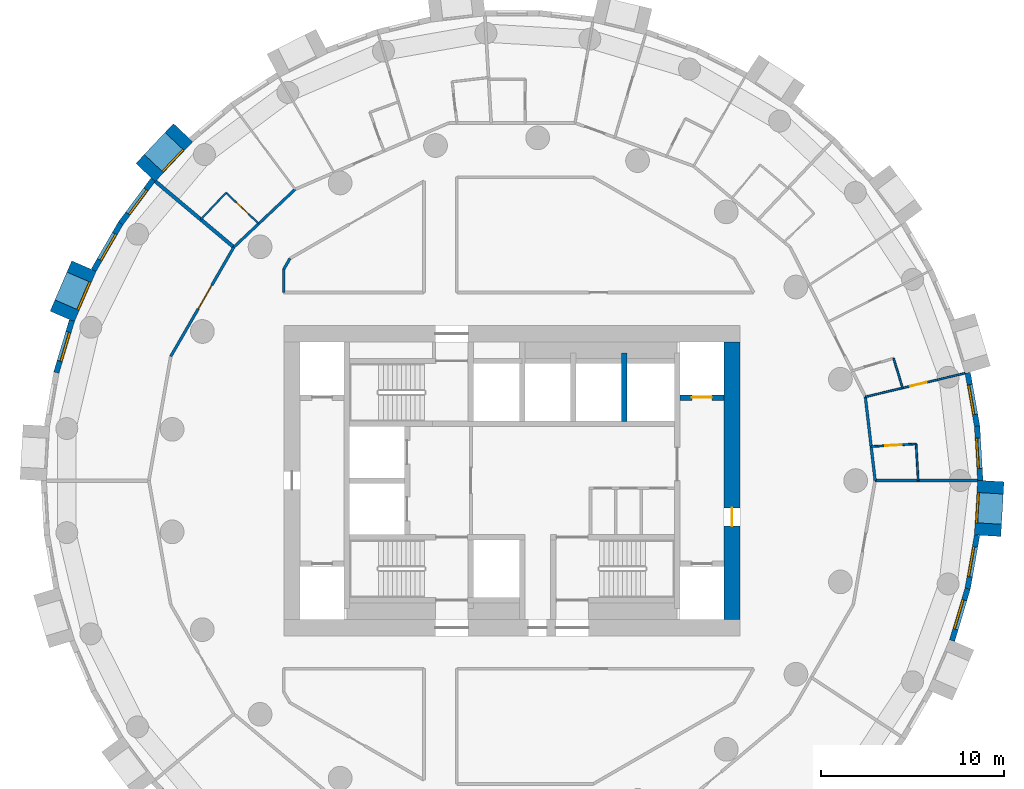
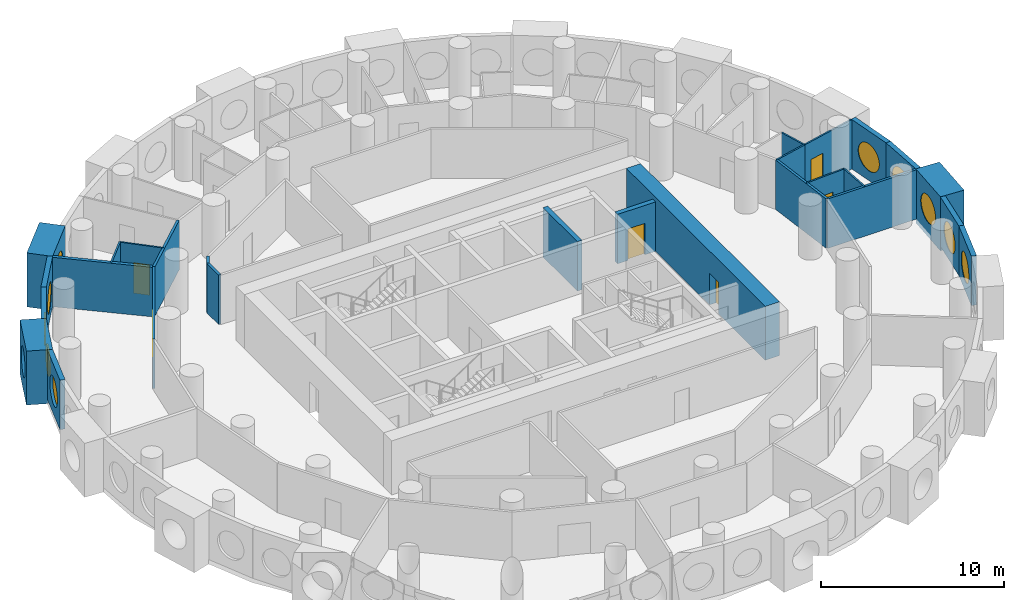
# One storey, part 5 of 10: 27 walls, 10 windows, 6 doors, 16 openings.
"""IFC4 building model written with IfcOpenShell, lengths in metres."""

import ifcopenshell
import ifcopenshell.guid

model = None  # the IFC model being written
_history = None  # IfcOwnerHistory: only IFC2X3 demands one
_inside = {}  # id of a spatial element -> (the spatial element, [elements in it])
_under = {}  # id of a project, library or spatial element -> (it, [spatial elements below it])
_declared = {}  # id of a project -> (the project, [libraries it declares])
_typed = {}  # id of a type object -> (the type object, [elements of that type])
_made_of = {}  # id of a material, layer set ... -> (it, [elements and type objects made of it])


def new_model(schema):
    """Start an empty IFC model of exactly this schema.

    Asked for "IFC4X3", IfcOpenShell would pick the latest addendum, in which some entities
    have other attributes; the version numbers below select the first issue.
    IFC2X3 requires an IfcOwnerHistory on every rooted entity: one is made here for all.
    """
    global model, _history
    if schema == "IFC4X3":
        model = ifcopenshell.file(schema_version=(4, 3, 0, 0))
    else:
        model = ifcopenshell.file(schema=schema)
    _inside.clear()
    _under.clear()
    _declared.clear()
    _typed.clear()
    _made_of.clear()
    _history = None
    if model.schema == "IFC2X3":
        org = make("IfcOrganization", Name="unknown")
        user = make(
            "IfcPersonAndOrganization",
            ThePerson=make("IfcPerson", FamilyName="unknown"),
            TheOrganization=org,
        )
        app = make(
            "IfcApplication",
            ApplicationDeveloper=org,
            Version="unknown",
            ApplicationFullName="unknown",
            ApplicationIdentifier="unknown",
        )
        _history = make(
            "IfcOwnerHistory",
            OwningUser=user,
            OwningApplication=app,
            ChangeAction="ADDED",
            CreationDate=0,
        )
    return model


def make(cls, **values):
    """One entity of the class cls with the attributes given. An attribute that is None is left unset."""
    return model.create_entity(
        cls, **{name: value for name, value in values.items() if value is not None}
    )


def rooted(cls, **values):
    """An entity with a GlobalId (a new one), such as an element, a storey or a relation."""
    return make(cls, GlobalId=ifcopenshell.guid.new(), OwnerHistory=_history, **values)


def si_unit(unit_type, name, prefix=None):
    """IfcSIUnit, for example si_unit("LENGTHUNIT", "METRE", prefix="MILLI")."""
    return make("IfcSIUnit", UnitType=unit_type, Prefix=prefix, Name=name)


def assignment(units):
    """IfcUnitAssignment: the units of a project."""
    return None if units is None else make("IfcUnitAssignment", Units=units)


def point(xyz):
    """IfcCartesianPoint."""
    return None if xyz is None else make("IfcCartesianPoint", Coordinates=xyz)


def direction(xyz):
    """IfcDirection."""
    return None if xyz is None else make("IfcDirection", DirectionRatios=xyz)


def frame(location, z_axis=None, x_axis=None):
    """IfcAxis2Placement3D, a coordinate frame: its origin and axes. An axis left out is left unset."""
    return make(
        "IfcAxis2Placement3D",
        Location=point(location),
        Axis=direction(z_axis),
        RefDirection=direction(x_axis),
    )


def frame_2d(location, x_axis=None):
    """IfcAxis2Placement2D, a coordinate frame in the plane: its origin and x axis."""
    return make(
        "IfcAxis2Placement2D", Location=point(location), RefDirection=direction(x_axis)
    )


def origin():
    """The frame at (0, 0, 0) with its axes left unset."""
    return frame((0.0, 0.0, 0.0))


def origin_2d():
    """The frame at (0, 0) in the plane with its x axis left unset."""
    return frame_2d((0.0, 0.0))


def place(relative_to, where):
    """IfcLocalPlacement: puts the frame where relative to a parent placement (None: the world)."""
    return make(
        "IfcLocalPlacement", PlacementRelTo=relative_to, RelativePlacement=where
    )


def context(
    kind, dimensions, precision=None, world=None, true_north=None, identifier=None
):
    """IfcGeometricRepresentationContext, for example the 3D "Model" context."""
    return make(
        "IfcGeometricRepresentationContext",
        ContextIdentifier=identifier,
        ContextType=kind,
        CoordinateSpaceDimension=dimensions,
        Precision=precision,
        WorldCoordinateSystem=world,
        TrueNorth=true_north,
    )


def subcontext(parent, identifier, kind, view, scale=None):
    """IfcGeometricRepresentationSubContext, for example "Body" below "Model"."""
    return make(
        "IfcGeometricRepresentationSubContext",
        ContextIdentifier=identifier,
        ContextType=kind,
        ParentContext=parent,
        TargetScale=scale,
        TargetView=view,
    )


def project(units=None, contexts=None):
    """IfcProject with its units and contexts."""
    return rooted(
        "IfcProject",
        Name="project",
        RepresentationContexts=contexts,
        UnitsInContext=assignment(units),
    )


def spatial(cls, under=None, at=None, **own):
    """A site, building, storey or space (cls), placed at a placement, below another one or the project."""
    s = rooted(cls, ObjectPlacement=at, **own)
    if under is not None:
        _under.setdefault(under.id(), (under, []))[1].append(s)
    return s


def profile(cls, at=None, kind="AREA", **sizes):
    """A parametric profile (cls). Its sizes go by their IFC names, for example OverallWidth=200.0."""
    return make(cls, ProfileType=kind, Position=at, **sizes)


def rectangle(**sizes):
    """IfcRectangleProfileDef."""
    return profile("IfcRectangleProfileDef", **sizes)


def circle(**sizes):
    """IfcCircleProfileDef."""
    return profile("IfcCircleProfileDef", **sizes)


def extrude(swept, where, along, depth):
    """IfcExtrudedAreaSolid: the profile swept, set in the frame where, extruded along a direction by depth."""
    return make(
        "IfcExtrudedAreaSolid",
        SweptArea=swept,
        Position=where,
        ExtrudedDirection=direction(along),
        Depth=depth,
    )


def shape(context_of_items, identifier, shape_type, items):
    """IfcShapeRepresentation: the items that make up one representation, for example the "Body"."""
    return make(
        "IfcShapeRepresentation",
        ContextOfItems=context_of_items,
        RepresentationIdentifier=identifier,
        RepresentationType=shape_type,
        Items=items,
    )


def material(Name=None, Category=None):
    """IfcMaterial."""
    return make("IfcMaterial", Name=Name, Category=Category)


def layer(
    of_material, thickness, ventilated=None, Name=None, Category=None, Priority=None
):
    """IfcMaterialLayer: one layer of a wall or slab, of a material (None: an air gap)."""
    return make(
        "IfcMaterialLayer",
        Material=of_material,
        LayerThickness=thickness,
        IsVentilated=ventilated,
        Name=Name,
        Category=Category,
        Priority=Priority,
    )


def layer_set(layers, Name=None):
    """IfcMaterialLayerSet."""
    return make("IfcMaterialLayerSet", MaterialLayers=layers, LayerSetName=Name)


def made_of(thing, what):
    """Note that an element or type object is made of a material, layer set ...; save() writes the relation."""
    if what is not None:
        _made_of.setdefault(what.id(), (what, []))[1].append(thing)
    return thing


def type_object(cls, material=None, **own):
    """A type object (cls), such as IfcWallType, which elements share."""
    return made_of(rooted(cls, **own), material)


def element(
    cls,
    number,
    at=None,
    inside=None,
    cuts=None,
    type_object=None,
    material=None,
    context=None,
    identifier="Body",
    shape_type=None,
    held_by="IfcProductDefinitionShape",
    body=None,
    shapes=None,
    **own,
):
    """One element of the class cls, such as IfcWall. Its Tag is "e" and its number.

    at: its placement. inside: the storey or other place that contains it. cuts: it is an
    opening in that element (IfcRelVoidsElement). A single representation is given by context,
    identifier, shape_type and body (its items); several are given by shapes. held_by: the class
    of the entity that holds the representations. save() writes the other relations.
    """
    e = rooted(cls, Tag="e%d" % number, ObjectPlacement=at, **own)
    if body is not None:
        shapes = [shape(context, identifier, shape_type, body)]
    if shapes is not None:
        e.Representation = make(held_by, Representations=shapes)
    if inside is not None:
        _inside.setdefault(inside.id(), (inside, []))[1].append(e)
    if cuts is not None:
        rooted(
            "IfcRelVoidsElement", RelatingBuildingElement=cuts, RelatedOpeningElement=e
        )
    if type_object is not None:
        _typed.setdefault(type_object.id(), (type_object, []))[1].append(e)
    return made_of(e, material)


def fill(opening, filler):
    """IfcRelFillsElement: the door or window that sits in an opening."""
    return rooted(
        "IfcRelFillsElement",
        RelatingOpeningElement=opening,
        RelatedBuildingElement=filler,
    )


def aggregate(whole, parts):
    """IfcRelAggregates: a whole, such as a stair, and the parts it consists of."""
    return rooted("IfcRelAggregates", RelatingObject=whole, RelatedObjects=parts)


def save(model, path):
    """Write the relations noted so far, then the file.

    IfcRelAggregates (storeys below a building ...), IfcRelContainedInSpatialStructure (elements
    in a storey), IfcRelDefinesByType, IfcRelAssociatesMaterial and IfcRelDeclares: one each for
    every whole, place, type object, material and project.
    """
    for whole, parts in _under.values():
        aggregate(whole, parts)
    for where, things in _inside.values():
        rooted(
            "IfcRelContainedInSpatialStructure",
            RelatedElements=things,
            RelatingStructure=where,
        )
    for kind, things in _typed.values():
        rooted("IfcRelDefinesByType", RelatedObjects=things, RelatingType=kind)
    for what, things in _made_of.values():
        rooted("IfcRelAssociatesMaterial", RelatedObjects=things, RelatingMaterial=what)
    for by, libraries in _declared.values():
        rooted("IfcRelDeclares", RelatingContext=by, RelatedDefinitions=libraries)
    model.write(path)


model = new_model("IFC4")

# Units and contexts
model_context = context("Model", 3, precision=1e-05, world=origin(), true_north=direction((0.0, 1.0)))
body_context = subcontext(model_context, "Body", "Model", "MODEL_VIEW")
ifc_project = project(units=[si_unit("LENGTHUNIT", "METRE"), si_unit("AREAUNIT", "SQUARE_METRE"), si_unit("VOLUMEUNIT", "CUBIC_METRE"), si_unit("PLANEANGLEUNIT", "RADIAN"), si_unit("MASSUNIT", "GRAM", prefix="KILO")], contexts=[model_context])

# Site, building, storey
site_placement = place(None, origin())
site = spatial("IfcSite", under=ifc_project, at=site_placement, CompositionType="ELEMENT")
building_placement = place(site_placement, origin())
building = spatial("IfcBuilding", under=site, at=building_placement, Name="Tracery Tower", CompositionType="ELEMENT")
storey_placement = place(building_placement, frame((0.0, 0.0, 133.199951171875)))
storey = spatial("IfcBuildingStorey", under=building, at=storey_placement, Name="L33", CompositionType="ELEMENT", Elevation=133.199951171875)

# Wall, opening, door
ifc_material_1 = material(Name="Concrete C50/60", Category="concrete")
ifc_layer_1 = layer(ifc_material_1, 0.89990234375)
ifc_layer_set_1 = layer_set([ifc_layer_1], Name="Core wall 900 C50")
wall_type_1 = type_object("IfcWallType", Name="Core wall 900 C50", PredefinedType="SOLIDWALL", material=ifc_layer_set_1)
wall_1_placement = place(storey_placement, frame((12.050048828125, -7.60009765625, 0.0), z_axis=(0.0, 0.0, 1.0), x_axis=(0.0, 1.0, 0.0)))
wall_1 = element("IfcWall", 1, at=wall_1_placement, inside=storey, type_object=wall_type_1, Name="L33 outer E", PredefinedType="SOLIDWALL", context=body_context, shape_type="SweptSolid", body=[
    extrude(rectangle(XDim=15.2001953125, YDim=0.89990234375, at=frame_2d((7.60009765625, 0.0))), origin(), (0.0, 0.0, 1.0), 3.60009765625),
])
opening_1_placement = place(wall_1_placement, frame((5.10009765625, 0.0, 0.0)))
opening_1 = element("IfcOpeningElement", 2, at=opening_1_placement, cuts=wall_1, Name="Opening KD18", PredefinedType="OPENING", context=body_context, shape_type="SweptSolid", body=[
    extrude(rectangle(XDim=1.0, YDim=2.10009765625, at=frame_2d((0.5, 1.050048828125))), frame((0.0, 0.449951171875, 0.0), z_axis=(0.0, -1.0, 0.0), x_axis=(1.0, 0.0, 0.0)), (0.0, 0.0, 1.0), 0.89990234375),
])
ifc_material_2 = material(Name="Steel fire door", Category="steel")
door_type_1 = type_object("IfcDoorType", Name="Core exit door 1000", OperationType="NOTDEFINED", PredefinedType="DOOR", material=ifc_material_2)
door_1_placement = place(opening_1_placement, origin())
door_1 = element("IfcDoor", 3, at=door_1_placement, inside=storey, type_object=door_type_1, Name="Core exit door", OperationType="DOUBLE_DOOR_SINGLE_SWING", OverallHeight=2.10009765625, OverallWidth=1.0, PredefinedType="DOOR", context=body_context, shape_type="SweptSolid", body=[
    extrude(rectangle(XDim=1.0, YDim=2.10009765625, at=frame_2d((0.5, 1.050048828125))), frame((0.0, 0.02490234375, 0.0), z_axis=(0.0, -1.0, 0.0), x_axis=(1.0, 0.0, 0.0)), (0.0, 0.0, 1.0), 0.050048828125),
])
fill(opening_1, door_1)

# Wall, opening, window
ifc_material_3 = material(Name="Precast concrete C50/60", Category="concrete")
ifc_layer_2 = layer(ifc_material_3, 1.449951171875)
ifc_layer_set_2 = layer_set([ifc_layer_2], Name="Deep-set bay unit 3000 x 3600, slab edge 300")
wall_type_2 = type_object("IfcWallType", Name="Deep-set bay unit 3000 x 3600, slab edge 300", PredefinedType="ELEMENTEDWALL", material=ifc_layer_set_2)
wall_2_placement = place(storey_placement, frame((-18.0126953125, 19.05615234375, -0.300048828125), z_axis=(0.0, 0.0, 1.0), x_axis=(-0.686217177108, -0.727396718334, 0.0)))
wall_2 = element("IfcWall", 4, at=wall_2_placement, inside=storey, type_object=wall_type_2, Name="Deep-set bay unit 21 at L33", PredefinedType="ELEMENTEDWALL", context=body_context, shape_type="SweptSolid", body=[
    extrude(rectangle(XDim=3.0, YDim=1.449951171875, at=frame_2d((1.5, 0.0))), origin(), (0.0, 0.0, 1.0), 3.60009765625),
])
opening_2_placement = place(wall_2_placement, frame((1.5, 0.0, 1.85009765625)))
opening_2 = element("IfcOpeningElement", 5, at=opening_2_placement, cuts=wall_2, Name="Opening WN1", PredefinedType="OPENING", context=body_context, shape_type="SweptSolid", body=[
    extrude(circle(Radius=0.9000244140625, at=origin_2d()), frame((0.0, 0.73486328125, 0.0), z_axis=(0.0, -1.0, 0.0), x_axis=(1.0, 0.0, 0.0)), (0.0, 0.0, 1.0), 1.469970703125),
])
ifc_material_4 = material(Name="Aluminium frame with tinted double glazing", Category="aluminium")
window_type = type_object("IfcWindowType", Name="Round window 1800", PartitioningType="SINGLE_PANEL", PredefinedType="WINDOW", material=ifc_material_4)
window_1_placement = place(opening_2_placement, origin())
window_1 = element("IfcWindow", 6, at=window_1_placement, inside=storey, type_object=window_type, Name="Round window 21 at L33", OverallHeight=1.800048828125, OverallWidth=1.800048828125, PartitioningType="SINGLE_PANEL", PredefinedType="WINDOW", context=body_context, shape_type="SweptSolid", body=[
    extrude(circle(Radius=0.9000244140625, at=origin_2d()), frame((0.0, 0.69482421875, 0.0), z_axis=(0.0, -1.0, 0.0), x_axis=(1.0, 0.0, 0.0)), (0.0, 0.0, 1.0), 0.10009765625),
])
fill(opening_2, window_1)

wall_3_placement = place(storey_placement, frame((-23.44384765625, 11.746337890625, -0.300048828125), z_axis=(0.0, 0.0, 1.0), x_axis=(-0.396079003245, -0.918216435917, 0.0)))
wall_3 = element("IfcWall", 7, at=wall_3_placement, inside=storey, type_object=wall_type_2, Name="Deep-set bay unit 24 at L33", PredefinedType="ELEMENTEDWALL", context=body_context, shape_type="SweptSolid", body=[
    extrude(rectangle(XDim=3.0, YDim=1.449951171875, at=frame_2d((1.5, 0.0))), origin(), (0.0, 0.0, 1.0), 3.60009765625),
])
opening_3_placement = place(wall_3_placement, frame((1.5, 0.0, 1.85009765625)))
opening_3 = element("IfcOpeningElement", 8, at=opening_3_placement, cuts=wall_3, Name="Opening WN1", PredefinedType="OPENING", context=body_context, shape_type="SweptSolid", body=[
    extrude(circle(Radius=0.9000244140625, at=origin_2d()), frame((0.0, 0.73486328125, 0.0), z_axis=(0.0, -1.0, 0.0), x_axis=(1.0, 0.0, 0.0)), (0.0, 0.0, 1.0), 1.469970703125),
])
window_2_placement = place(opening_3_placement, origin())
window_2 = element("IfcWindow", 9, at=window_2_placement, inside=storey, type_object=window_type, Name="Round window 24 at L33", OverallHeight=1.800048828125, OverallWidth=1.800048828125, PartitioningType="SINGLE_PANEL", PredefinedType="WINDOW", context=body_context, shape_type="SweptSolid", body=[
    extrude(circle(Radius=0.9000244140625, at=origin_2d()), frame((0.0, 0.69482421875, 0.0), z_axis=(0.0, -1.0, 0.0), x_axis=(1.0, 0.0, 0.0)), (0.0, 0.0, 1.0), 0.10009765625),
])
fill(opening_3, window_2)

wall_4_placement = place(storey_placement, frame((26.047607421875, -3.01953125, -0.300048828125), z_axis=(0.0, 0.0, 1.0), x_axis=(0.058106596105, 0.998310384344, 0.0)))
wall_4 = element("IfcWall", 10, at=wall_4_placement, inside=storey, type_object=wall_type_2, Name="Deep-set bay unit 54 at L33", PredefinedType="ELEMENTEDWALL", context=body_context, shape_type="SweptSolid", body=[
    extrude(rectangle(XDim=3.0, YDim=1.449951171875, at=frame_2d((1.5, 0.0))), origin(), (0.0, 0.0, 1.0), 3.60009765625),
])
opening_4_placement = place(wall_4_placement, frame((1.5, 0.0, 1.85009765625)))
opening_4 = element("IfcOpeningElement", 11, at=opening_4_placement, cuts=wall_4, Name="Opening WN1", PredefinedType="OPENING", context=body_context, shape_type="SweptSolid", body=[
    extrude(circle(Radius=0.9000244140625, at=origin_2d()), frame((0.0, 0.73486328125, 0.0), z_axis=(0.0, -1.0, 0.0), x_axis=(1.0, 0.0, 0.0)), (0.0, 0.0, 1.0), 1.469970703125),
])
window_3_placement = place(opening_4_placement, origin())
window_3 = element("IfcWindow", 12, at=window_3_placement, inside=storey, type_object=window_type, Name="Round window 54 at L33", OverallHeight=1.800048828125, OverallWidth=1.800048828125, PartitioningType="SINGLE_PANEL", PredefinedType="WINDOW", context=body_context, shape_type="SweptSolid", body=[
    extrude(circle(Radius=0.9000244140625, at=origin_2d()), frame((0.0, 0.69482421875, 0.0), z_axis=(0.0, -1.0, 0.0), x_axis=(1.0, 0.0, 0.0)), (0.0, 0.0, 1.0), 0.10009765625),
])
fill(opening_4, window_3)

ifc_material_5 = material(Name="Precast concrete C50/60", Category="concrete")
ifc_layer_3 = layer(ifc_material_5, 0.300048828125)
ifc_layer_set_3 = layer_set([ifc_layer_3], Name="Facade panel 3000 x 3300")
wall_type_3 = type_object("IfcWallType", Name="Facade panel 3000 x 3300", PredefinedType="SOLIDWALL", material=ifc_layer_set_3)
wall_5_placement = place(storey_placement, frame((25.64697265625, 0.009521484375, 0.0), z_axis=(0.0, 0.0, 1.0), x_axis=(-0.058139540521, 0.998308466271, 0.0)))
wall_5 = element("IfcWall", 13, at=wall_5_placement, inside=storey, type_object=wall_type_3, Name="Facade panel 1 at L33", PredefinedType="SOLIDWALL", context=body_context, shape_type="SweptSolid", body=[
    extrude(rectangle(XDim=2.97314453125, YDim=0.300048828125, at=frame_2d((1.486572265625, 0.0))), origin(), (0.0, 0.0, 1.0), 3.300048828125),
])
opening_5_placement = place(wall_5_placement, frame((1.486328125, 0.0, 1.5498046875)))
opening_5 = element("IfcOpeningElement", 14, at=opening_5_placement, cuts=wall_5, Name="Opening WN1", PredefinedType="OPENING", context=body_context, shape_type="SweptSolid", body=[
    extrude(circle(Radius=0.9000244140625, at=origin_2d()), frame((0.0, 0.159912109375, 0.0), z_axis=(0.0, -1.0, 0.0), x_axis=(1.0, 0.0, 0.0)), (0.0, 0.0, 1.0), 0.320068359375),
])
window_4_placement = place(opening_5_placement, origin())
window_4 = element("IfcWindow", 15, at=window_4_placement, inside=storey, type_object=window_type, Name="Round window 1 at L33", OverallHeight=1.800048828125, OverallWidth=1.800048828125, PartitioningType="SINGLE_PANEL", PredefinedType="WINDOW", context=body_context, shape_type="SweptSolid", body=[
    extrude(circle(Radius=0.9000244140625, at=origin_2d()), frame((0.0, 0.1201171875, 0.0), z_axis=(0.0, -1.0, 0.0), x_axis=(1.0, 0.0, 0.0)), (0.0, 0.0, 1.0), 0.10009765625),
])
fill(opening_5, window_4)

wall_6_placement = place(storey_placement, frame((25.47412109375, 2.9775390625, 0.0), z_axis=(0.0, 0.0, 1.0), x_axis=(-0.173686952598, 0.984800915159, 0.0)))
wall_6 = element("IfcWall", 16, at=wall_6_placement, inside=storey, type_object=wall_type_3, Name="Facade panel 2 at L33", PredefinedType="SOLIDWALL", context=body_context, shape_type="SweptSolid", body=[
    extrude(rectangle(XDim=2.972900390625, YDim=0.300048828125, at=frame_2d((1.486328125, 0.0))), origin(), (0.0, 0.0, 1.0), 3.300048828125),
])
opening_6_placement = place(wall_6_placement, frame((1.486328125, 0.0, 1.5498046875)))
opening_6 = element("IfcOpeningElement", 17, at=opening_6_placement, cuts=wall_6, Name="Opening WN1", PredefinedType="OPENING", context=body_context, shape_type="SweptSolid", body=[
    extrude(circle(Radius=0.9000244140625, at=origin_2d()), frame((0.0, 0.159912109375, 0.0), z_axis=(0.0, -1.0, 0.0), x_axis=(1.0, 0.0, 0.0)), (0.0, 0.0, 1.0), 0.320068359375),
])
window_5_placement = place(opening_6_placement, origin())
window_5 = element("IfcWindow", 18, at=window_5_placement, inside=storey, type_object=window_type, Name="Round window 2 at L33", OverallHeight=1.800048828125, OverallWidth=1.800048828125, PartitioningType="SINGLE_PANEL", PredefinedType="WINDOW", context=body_context, shape_type="SweptSolid", body=[
    extrude(circle(Radius=0.9000244140625, at=origin_2d()), frame((0.0, 0.1201171875, 0.0), z_axis=(0.0, -1.0, 0.0), x_axis=(1.0, 0.0, 0.0)), (0.0, 0.0, 1.0), 0.10009765625),
])
fill(opening_6, window_5)

wall_7_placement = place(storey_placement, frame((-19.65283203125, 16.47802734375, 0.0), z_axis=(0.0, 0.0, 1.0), x_axis=(-0.597197580538, -0.80209416517, 0.0)))
wall_7 = element("IfcWall", 19, at=wall_7_placement, inside=storey, type_object=wall_type_3, Name="Facade panel 22 at L33", PredefinedType="SOLIDWALL", context=body_context, shape_type="SweptSolid", body=[
    extrude(rectangle(XDim=2.972900390625, YDim=0.300048828125, at=frame_2d((1.486328125, 0.0))), origin(), (0.0, 0.0, 1.0), 3.300048828125),
])
opening_7_placement = place(wall_7_placement, frame((1.486328125, 0.0, 1.5498046875)))
opening_7 = element("IfcOpeningElement", 20, at=opening_7_placement, cuts=wall_7, Name="Opening WN1", PredefinedType="OPENING", context=body_context, shape_type="SweptSolid", body=[
    extrude(circle(Radius=0.9000244140625, at=origin_2d()), frame((0.0, 0.159912109375, 0.0), z_axis=(0.0, -1.0, 0.0), x_axis=(1.0, 0.0, 0.0)), (0.0, 0.0, 1.0), 0.320068359375),
])
window_6_placement = place(opening_7_placement, origin())
window_6 = element("IfcWindow", 21, at=window_6_placement, inside=storey, type_object=window_type, Name="Round window 22 at L33", OverallHeight=1.800048828125, OverallWidth=1.800048828125, PartitioningType="SINGLE_PANEL", PredefinedType="WINDOW", context=body_context, shape_type="SweptSolid", body=[
    extrude(circle(Radius=0.9000244140625, at=origin_2d()), frame((0.0, 0.1201171875, 0.0), z_axis=(0.0, -1.0, 0.0), x_axis=(1.0, 0.0, 0.0)), (0.0, 0.0, 1.0), 0.10009765625),
])
fill(opening_7, window_6)

wall_8_placement = place(storey_placement, frame((-21.42822265625, 14.093505859375, 0.0), z_axis=(0.0, 0.0, 1.0), x_axis=(-0.499954672104, -0.866051572276, 0.0)))
wall_8 = element("IfcWall", 22, at=wall_8_placement, inside=storey, type_object=wall_type_3, Name="Facade panel 23 at L33", PredefinedType="SOLIDWALL", context=body_context, shape_type="SweptSolid", body=[
    extrude(rectangle(XDim=2.972900390625, YDim=0.300048828125, at=frame_2d((1.486328125, 0.0))), origin(), (0.0, 0.0, 1.0), 3.300048828125),
])
opening_8_placement = place(wall_8_placement, frame((1.486328125, 0.0, 1.5498046875)))
opening_8 = element("IfcOpeningElement", 23, at=opening_8_placement, cuts=wall_8, Name="Opening WN1", PredefinedType="OPENING", context=body_context, shape_type="SweptSolid", body=[
    extrude(circle(Radius=0.9000244140625, at=origin_2d()), frame((0.0, 0.159912109375, 0.0), z_axis=(0.0, -1.0, 0.0), x_axis=(1.0, 0.0, 0.0)), (0.0, 0.0, 1.0), 0.320068359375),
])
window_7_placement = place(opening_8_placement, origin())
window_7 = element("IfcWindow", 24, at=window_7_placement, inside=storey, type_object=window_type, Name="Round window 23 at L33", OverallHeight=1.800048828125, OverallWidth=1.800048828125, PartitioningType="SINGLE_PANEL", PredefinedType="WINDOW", context=body_context, shape_type="SweptSolid", body=[
    extrude(circle(Radius=0.9000244140625, at=origin_2d()), frame((0.0, 0.1201171875, 0.0), z_axis=(0.0, -1.0, 0.0), x_axis=(1.0, 0.0, 0.0)), (0.0, 0.0, 1.0), 0.10009765625),
])
fill(opening_8, window_7)

wall_9_placement = place(storey_placement, frame((-24.103515625, 8.7626953125, 0.0), z_axis=(0.0, 0.0, 1.0), x_axis=(-0.286782750849, -0.957995643944, 0.0)))
wall_9 = element("IfcWall", 25, at=wall_9_placement, inside=storey, type_object=wall_type_3, Name="Facade panel 25 at L33", PredefinedType="SOLIDWALL", context=body_context, shape_type="SweptSolid", body=[
    extrude(rectangle(XDim=2.97265625, YDim=0.300048828125, at=frame_2d((1.486328125, 0.0))), origin(), (0.0, 0.0, 1.0), 3.300048828125),
])
opening_9_placement = place(wall_9_placement, frame((1.486328125, 0.0, 1.5498046875)))
opening_9 = element("IfcOpeningElement", 26, at=opening_9_placement, cuts=wall_9, Name="Opening WN1", PredefinedType="OPENING", context=body_context, shape_type="SweptSolid", body=[
    extrude(circle(Radius=0.9000244140625, at=origin_2d()), frame((0.0, 0.159912109375, 0.0), z_axis=(0.0, -1.0, 0.0), x_axis=(1.0, 0.0, 0.0)), (0.0, 0.0, 1.0), 0.320068359375),
])
window_8_placement = place(opening_9_placement, origin())
window_8 = element("IfcWindow", 27, at=window_8_placement, inside=storey, type_object=window_type, Name="Round window 25 at L33", OverallHeight=1.800048828125, OverallWidth=1.800048828125, PartitioningType="SINGLE_PANEL", PredefinedType="WINDOW", context=body_context, shape_type="SweptSolid", body=[
    extrude(circle(Radius=0.9000244140625, at=origin_2d()), frame((0.0, 0.1201171875, 0.0), z_axis=(0.0, -1.0, 0.0), x_axis=(1.0, 0.0, 0.0)), (0.0, 0.0, 1.0), 0.10009765625),
])
fill(opening_9, window_8)

wall_10_placement = place(storey_placement, frame((24.103515625, -8.7626953125, 0.0), z_axis=(0.0, 0.0, 1.0), x_axis=(0.286782750849, 0.957995643944, 0.0)))
wall_10 = element("IfcWall", 28, at=wall_10_placement, inside=storey, type_object=wall_type_3, Name="Facade panel 52 at L33", PredefinedType="SOLIDWALL", context=body_context, shape_type="SweptSolid", body=[
    extrude(rectangle(XDim=2.97265625, YDim=0.300048828125, at=frame_2d((1.486328125, 0.0))), origin(), (0.0, 0.0, 1.0), 3.300048828125),
])
opening_10_placement = place(wall_10_placement, frame((1.486328125, 0.0, 1.5498046875)))
opening_10 = element("IfcOpeningElement", 29, at=opening_10_placement, cuts=wall_10, Name="Opening WN1", PredefinedType="OPENING", context=body_context, shape_type="SweptSolid", body=[
    extrude(circle(Radius=0.9000244140625, at=origin_2d()), frame((0.0, 0.159912109375, 0.0), z_axis=(0.0, -1.0, 0.0), x_axis=(1.0, 0.0, 0.0)), (0.0, 0.0, 1.0), 0.320068359375),
])
window_9_placement = place(opening_10_placement, origin())
window_9 = element("IfcWindow", 30, at=window_9_placement, inside=storey, type_object=window_type, Name="Round window 52 at L33", OverallHeight=1.800048828125, OverallWidth=1.800048828125, PartitioningType="SINGLE_PANEL", PredefinedType="WINDOW", context=body_context, shape_type="SweptSolid", body=[
    extrude(circle(Radius=0.9000244140625, at=origin_2d()), frame((0.0, 0.1201171875, 0.0), z_axis=(0.0, -1.0, 0.0), x_axis=(1.0, 0.0, 0.0)), (0.0, 0.0, 1.0), 0.10009765625),
])
fill(opening_10, window_9)

wall_11_placement = place(storey_placement, frame((24.9560546875, -5.914794921875, 0.0), z_axis=(0.0, 0.0, 1.0), x_axis=(0.173686952598, 0.984800915159, 0.0)))
wall_11 = element("IfcWall", 31, at=wall_11_placement, inside=storey, type_object=wall_type_3, Name="Facade panel 53 at L33", PredefinedType="SOLIDWALL", context=body_context, shape_type="SweptSolid", body=[
    extrude(rectangle(XDim=2.972900390625, YDim=0.300048828125, at=frame_2d((1.486328125, 0.0))), origin(), (0.0, 0.0, 1.0), 3.300048828125),
])
opening_11_placement = place(wall_11_placement, frame((1.486328125, 0.0, 1.5498046875)))
opening_11 = element("IfcOpeningElement", 32, at=opening_11_placement, cuts=wall_11, Name="Opening WN1", PredefinedType="OPENING", context=body_context, shape_type="SweptSolid", body=[
    extrude(circle(Radius=0.9000244140625, at=origin_2d()), frame((0.0, 0.159912109375, 0.0), z_axis=(0.0, -1.0, 0.0), x_axis=(1.0, 0.0, 0.0)), (0.0, 0.0, 1.0), 0.320068359375),
])
window_10_placement = place(opening_11_placement, origin())
window_10 = element("IfcWindow", 33, at=window_10_placement, inside=storey, type_object=window_type, Name="Round window 53 at L33", OverallHeight=1.800048828125, OverallWidth=1.800048828125, PartitioningType="SINGLE_PANEL", PredefinedType="WINDOW", context=body_context, shape_type="SweptSolid", body=[
    extrude(circle(Radius=0.9000244140625, at=origin_2d()), frame((0.0, 0.1201171875, 0.0), z_axis=(0.0, -1.0, 0.0), x_axis=(1.0, 0.0, 0.0)), (0.0, 0.0, 1.0), 0.10009765625),
])
fill(opening_11, window_10)

# Wall, opening, door
ifc_material_6 = material(Name="Plasterboard on steel studs", Category="steel")
ifc_layer_4 = layer(ifc_material_6, 0.10009765625)
ifc_layer_set_4 = layer_set([ifc_layer_4], Name="Partition 100 stud")
wall_type_4 = type_object("IfcWallType", Name="Partition 100 stud", PredefinedType="PARTITIONING", material=ifc_layer_set_4)
wall_12_placement = place(storey_placement, frame((21.388916015625, 5.069091796875, 0.0), z_axis=(0.0, 0.0, 1.0), x_axis=(0.973047083334, 0.2306065342, 0.0)))
wall_12 = element("IfcWall", 34, at=wall_12_placement, inside=storey, type_object=wall_type_4, Name="Stud partition RB1-043", PredefinedType="PARTITIONING", context=body_context, shape_type="SweptSolid", body=[
    extrude(rectangle(XDim=3.515869140625, YDim=0.10009765625, at=frame_2d((1.7578125, 0.0))), origin(), (0.0, 0.0, 1.0), 3.300048828125),
])
opening_12_placement = place(wall_12_placement, frame((0.44677734375, 0.0, 0.0)))
opening_12 = element("IfcOpeningElement", 35, at=opening_12_placement, cuts=wall_12, Name="Opening RB1-08", PredefinedType="OPENING", context=body_context, shape_type="SweptSolid", body=[
    extrude(rectangle(XDim=0.89990234375, YDim=2.10009765625, at=frame_2d((0.449951171875, 1.050048828125))), frame((0.0, 0.050048828125, 0.0), z_axis=(0.0, -1.0, 0.0), x_axis=(1.0, 0.0, 0.0)), (0.0, 0.0, 1.0), 0.10009765625),
])
ifc_material_7 = material(Name="Timber door leaf", Category="wood")
door_type_2 = type_object("IfcDoorType", Name="Door bedroom 900", OperationType="NOTDEFINED", PredefinedType="DOOR", material=ifc_material_7)
door_2_placement = place(opening_12_placement, origin())
door_2 = element("IfcDoor", 36, at=door_2_placement, inside=storey, type_object=door_type_2, Name="Bedroom door RB1-08", OperationType="SINGLE_SWING_RIGHT", OverallHeight=2.10009765625, OverallWidth=0.89990234375, PredefinedType="DOOR", context=body_context, shape_type="SweptSolid", body=[
    extrude(rectangle(XDim=0.89990234375, YDim=2.10009765625, at=frame_2d((0.449951171875, 1.050048828125))), frame((0.0, 0.02490234375, 0.0), z_axis=(0.0, -1.0, 0.0), x_axis=(1.0, 0.0, 0.0)), (0.0, 0.0, 1.0), 0.050048828125),
])
fill(opening_12, door_2)

# Walls
ifc_material_8 = material(Name="Plasterboard on steel studs", Category="steel")
ifc_layer_5 = layer(ifc_material_8, 0.10009765625)
ifc_layer_set_5 = layer_set([ifc_layer_5], Name="Partition 100 wet wall")
wall_type_5 = type_object("IfcWallType", Name="Partition 100 wet wall", PredefinedType="PARTITIONING", material=ifc_layer_set_5)
wall_13_placement = place(storey_placement, frame((20.902099609375, 6.694091796875, 0.0), z_axis=(0.0, 0.0, 1.0), x_axis=(0.286978159246, -0.957937125346, 0.0)))
element("IfcWall", 37, at=wall_13_placement, inside=storey, type_object=wall_type_5, Name="Wet wall RB1-041", PredefinedType="PARTITIONING", context=body_context, shape_type="SweptSolid", body=[
    extrude(rectangle(XDim=1.6962890625, YDim=0.10009765625, at=frame_2d((0.84814453125, 0.0))), origin(), (0.0, 0.0, 1.0), 3.300048828125),
])
wall_14_placement = place(storey_placement, frame((19.35205078125, 4.5859375, 0.0), z_axis=(0.0, 0.0, 1.0), x_axis=(0.973001078158, 0.230800567383, 0.0)))
element("IfcWall", 38, at=wall_14_placement, inside=storey, type_object=wall_type_5, Name="Wet wall RB1-045", PredefinedType="PARTITIONING", context=body_context, shape_type="SweptSolid", body=[
    extrude(rectangle(XDim=2.093505859375, YDim=0.10009765625, at=frame_2d((1.046875, 0.0))), origin(), (0.0, 0.0, 1.0), 3.300048828125),
])
wall_15_placement = place(storey_placement, frame((22.1298828125, 2.008056640625, 0.0), z_axis=(0.0, 0.0, 1.0), x_axis=(0.058259538708, -0.998301470574, 0.0)))
element("IfcWall", 39, at=wall_15_placement, inside=storey, type_object=wall_type_5, Name="Wet wall RB1-046", PredefinedType="PARTITIONING", context=body_context, shape_type="SweptSolid", body=[
    extrude(rectangle(XDim=2.011474609375, YDim=0.10009765625, at=frame_2d((1.005859375, 0.0))), origin(), (0.0, 0.0, 1.0), 3.300048828125),
])

# Wall, opening, door
wall_16_placement = place(storey_placement, frame((19.669921875, 1.864013671875, 0.0), z_axis=(0.0, 0.0, 1.0), x_axis=(0.998290052933, 0.058454856216, 0.0)))
wall_16 = element("IfcWall", 40, at=wall_16_placement, inside=storey, type_object=wall_type_5, Name="Wet wall RB1-047", PredefinedType="PARTITIONING", context=body_context, shape_type="SweptSolid", body=[
    extrude(rectangle(XDim=2.464111328125, YDim=0.10009765625, at=frame_2d((1.23193359375, 0.0))), origin(), (0.0, 0.0, 1.0), 3.300048828125),
])
opening_13_placement = place(wall_16_placement, frame((0.7822265625, 0.0, 0.0)))
opening_13 = element("IfcOpeningElement", 41, at=opening_13_placement, cuts=wall_16, Name="Opening RB1-09", PredefinedType="OPENING", context=body_context, shape_type="SweptSolid", body=[
    extrude(rectangle(XDim=0.89990234375, YDim=2.0400390625, at=frame_2d((0.449951171875, 1.02001953125))), frame((0.0, 0.050048828125, 0.0), z_axis=(0.0, -1.0, 0.0), x_axis=(1.0, 0.0, 0.0)), (0.0, 0.0, 1.0), 0.10009765625),
])
ifc_material_9 = material(Name="Timber door leaf", Category="wood")
door_type_3 = type_object("IfcDoorType", Name="Door en-suite 900", OperationType="NOTDEFINED", PredefinedType="DOOR", material=ifc_material_9)
door_3_placement = place(opening_13_placement, origin())
door_3 = element("IfcDoor", 42, at=door_3_placement, inside=storey, type_object=door_type_3, Name="En-suite door RB1-09", OperationType="SINGLE_SWING_LEFT", OverallHeight=2.0400390625, OverallWidth=0.89990234375, PredefinedType="DOOR", context=body_context, shape_type="SweptSolid", body=[
    extrude(rectangle(XDim=0.89990234375, YDim=2.0400390625, at=frame_2d((0.449951171875, 1.02001953125))), frame((0.0, 0.02490234375, 0.0), z_axis=(0.0, -1.0, 0.0), x_axis=(1.0, 0.0, 0.0)), (0.0, 0.0, 1.0), 0.050048828125),
])
fill(opening_13, door_3)

wall_17_placement = place(storey_placement, frame((-15.662109375, 15.762939453125, 0.0), z_axis=(0.0, 0.0, 1.0), x_axis=(0.727320856717, -0.686297582237, 0.0)))
wall_17 = element("IfcWall", 43, at=wall_17_placement, inside=storey, type_object=wall_type_5, Name="Wet wall RB1-073", PredefinedType="PARTITIONING", context=body_context, shape_type="SweptSolid", body=[
    extrude(rectangle(XDim=2.4638671875, YDim=0.10009765625, at=frame_2d((1.23193359375, 0.0))), origin(), (0.0, 0.0, 1.0), 3.300048828125),
])
opening_14_placement = place(wall_17_placement, frame((0.781982421875, 0.0, 0.0)))
opening_14 = element("IfcOpeningElement", 44, at=opening_14_placement, cuts=wall_17, Name="Opening RB1-25", PredefinedType="OPENING", context=body_context, shape_type="SweptSolid", body=[
    extrude(rectangle(XDim=0.89990234375, YDim=2.0400390625, at=frame_2d((0.449951171875, 1.02001953125))), frame((0.0, 0.050048828125, 0.0), z_axis=(0.0, -1.0, 0.0), x_axis=(1.0, 0.0, 0.0)), (0.0, 0.0, 1.0), 0.10009765625),
])
door_4_placement = place(opening_14_placement, origin())
door_4 = element("IfcDoor", 45, at=door_4_placement, inside=storey, type_object=door_type_3, Name="En-suite door RB1-25", OperationType="SINGLE_SWING_RIGHT", OverallHeight=2.0400390625, OverallWidth=0.89990234375, PredefinedType="DOOR", context=body_context, shape_type="SweptSolid", body=[
    extrude(rectangle(XDim=0.89990234375, YDim=2.0400390625, at=frame_2d((0.449951171875, 1.02001953125))), frame((0.0, 0.02490234375, 0.0), z_axis=(0.0, -1.0, 0.0), x_axis=(1.0, 0.0, 0.0)), (0.0, 0.0, 1.0), 0.050048828125),
])
fill(opening_14, door_4)

# Walls
wall_18_placement = place(storey_placement, frame((-17.0419921875, 14.300048828125, 0.0), z_axis=(0.0, 0.0, 1.0), x_axis=(0.686167098493, 0.727443958629, 0.0)))
element("IfcWall", 46, at=wall_18_placement, inside=storey, type_object=wall_type_5, Name="Wet wall RB1-074", PredefinedType="PARTITIONING", context=body_context, shape_type="SweptSolid", body=[
    extrude(rectangle(XDim=2.010986328125, YDim=0.10009765625, at=frame_2d((1.00537109375, 0.0))), origin(), (0.0, 0.0, 1.0), 3.300048828125),
])
ifc_material_10 = material(Name="Plasterboard on steel studs", Category="steel")
ifc_layer_6 = layer(ifc_material_10, 0.14990234375)
ifc_layer_set_6 = layer_set([ifc_layer_6], Name="Partition 150 acoustic unit wall")
wall_type_6 = type_object("IfcWallType", Name="Partition 150 acoustic unit wall", PredefinedType="PARTITIONING", material=ifc_layer_set_6)
wall_19_placement = place(storey_placement, frame((19.887939453125, 0.0, 0.0), z_axis=(0.0, 0.0, 1.0), x_axis=(1.0, 0.0, 0.0)))
element("IfcWall", 47, at=wall_19_placement, inside=storey, type_object=wall_type_6, Name="Unit wall RB1-048", PredefinedType="PARTITIONING", context=body_context, shape_type="SweptSolid", body=[
    extrude(rectangle(XDim=5.609130859375, YDim=0.14990234375, at=frame_2d((2.8046875, 0.0))), origin(), (0.0, 0.0, 1.0), 3.300048828125),
])
ifc_material_11 = material(Name="Plasterboard on steel studs", Category="steel")
ifc_layer_7 = layer(ifc_material_11, 0.14990234375)
ifc_layer_set_7 = layer_set([ifc_layer_7], Name="Partition 150 corridor wall")
wall_type_7 = type_object("IfcWallType", Name="Partition 150 corridor wall", PredefinedType="PARTITIONING", material=ifc_layer_set_7)
for number, where, z_axis, x_axis, name in (
    (48, (19.35205078125, 4.5859375, 0.0), (0.0, 0.0, 1.0), (0.116221510549, -0.993223318537, 0.0), "Corridor wall RB1-008"),
    (49, (-15.2353515625, 12.784423828125, 0.0), (0.0, 0.0, 1.0), (0.7275818654, 0.686020866403, 0.0), "Corridor wall RB1-022"),
):
    element("IfcWall", number, at=place(storey_placement, frame(where, z_axis=z_axis, x_axis=x_axis)), inside=storey, type_object=wall_type_7, Name=name, PredefinedType="PARTITIONING", context=body_context, shape_type="SweptSolid", body=[
        extrude(rectangle(XDim=4.6171875, YDim=0.14990234375, at=frame_2d((2.30859375, 0.0))), origin(), (0.0, 0.0, 1.0), 3.300048828125),
    ])
wall_20_placement = place(storey_placement, frame((-12.5, 11.576904296875, 0.0), z_axis=(0.0, 0.0, 1.0), x_axis=(0.500024767483, 0.866011103799, 0.0)))
element("IfcWall", 50, at=wall_20_placement, inside=storey, type_object=wall_type_7, Name="Corridor wall RB1-023", PredefinedType="PARTITIONING", context=body_context, shape_type="SweptSolid", body=[
    extrude(rectangle(XDim=0.67578125, YDim=0.14990234375, at=frame_2d((0.337890625, 0.0))), origin(), (0.0, 0.0, 1.0), 3.300048828125),
])
wall_21_placement = place(storey_placement, frame((-12.5, 10.300048828125, 0.0), z_axis=(0.0, 0.0, 1.0), x_axis=(0.0, 1.0, 0.0)))
element("IfcWall", 51, at=wall_21_placement, inside=storey, type_object=wall_type_7, Name="Corridor wall RB1-024", PredefinedType="PARTITIONING", context=body_context, shape_type="SweptSolid", body=[
    extrude(rectangle(XDim=1.27685546875, YDim=0.14990234375, at=frame_2d((0.638427734375, 0.0))), origin(), (0.0, 0.0, 1.0), 3.300048828125),
])

# Wall, opening, door
wall_22_placement = place(storey_placement, frame((-18.68798828125, 6.802001953125, 0.0), z_axis=(0.0, 0.0, 1.0), x_axis=(0.499914202267, 0.866074933462, 0.0)))
wall_22 = element("IfcWall", 52, at=wall_22_placement, inside=storey, type_object=wall_type_7, Name="Corridor wall RB1-028", PredefinedType="PARTITIONING", context=body_context, shape_type="SweptSolid", body=[
    extrude(rectangle(XDim=6.906982421875, YDim=0.14990234375, at=frame_2d((3.45361328125, 0.0))), origin(), (0.0, 0.0, 1.0), 3.300048828125),
])
opening_15_placement = place(wall_22_placement, frame((3.00390625, 0.0, 0.0)))
opening_15 = element("IfcOpeningElement", 53, at=opening_15_placement, cuts=wall_22, Name="Opening RB1-26", PredefinedType="OPENING", context=body_context, shape_type="SweptSolid", body=[
    extrude(rectangle(XDim=1.5, YDim=2.10009765625, at=frame_2d((0.75, 1.050048828125))), frame((0.0, 0.074951171875, 0.0), z_axis=(0.0, -1.0, 0.0), x_axis=(1.0, 0.0, 0.0)), (0.0, 0.0, 1.0), 0.14990234375),
])
ifc_material_12 = material(Name="Timber door leaf", Category="wood")
door_type_4 = type_object("IfcDoorType", Name="Door double kitchen 1500", OperationType="NOTDEFINED", PredefinedType="DOOR", material=ifc_material_12)
door_5_placement = place(opening_15_placement, origin())
door_5 = element("IfcDoor", 54, at=door_5_placement, inside=storey, type_object=door_type_4, Name="Double kitchen door RB1-26", OperationType="DOUBLE_DOOR_SINGLE_SWING", OverallHeight=2.10009765625, OverallWidth=1.5, PredefinedType="DOOR", context=body_context, shape_type="SweptSolid", body=[
    extrude(rectangle(XDim=1.5, YDim=2.10009765625, at=frame_2d((0.75, 1.050048828125))), frame((0.0, 0.02490234375, 0.0), z_axis=(0.0, -1.0, 0.0), x_axis=(1.0, 0.0, 0.0)), (0.0, 0.0, 1.0), 0.050048828125),
])
fill(opening_15, door_5)

# Walls
ifc_material_13 = material(Name="Plasterboard on steel studs", Category="steel")
ifc_layer_8 = layer(ifc_material_13, 0.199951171875)
ifc_layer_set_8 = layer_set([ifc_layer_8], Name="Partition 200 compartment wall")
wall_type_8 = type_object("IfcWallType", Name="Partition 200 compartment wall", PredefinedType="PARTITIONING", material=ifc_layer_set_8)
wall_23_placement = place(storey_placement, frame((-19.531982421875, 16.388916015625, 0.0), z_axis=(0.0, 0.0, 1.0), x_axis=(0.76609059793, -0.642732600514, 0.0)))
element("IfcWall", 55, at=wall_23_placement, inside=storey, type_object=wall_type_8, Name="Compartment wall RB1-075", PredefinedType="PARTITIONING", context=body_context, shape_type="SweptSolid", body=[
    extrude(rectangle(XDim=5.60888671875, YDim=0.199951171875, at=frame_2d((2.804443359375, 0.0))), origin(), (0.0, 0.0, 1.0), 3.300048828125),
])
ifc_material_14 = material(Name="Concrete C50/60", Category="concrete")
ifc_layer_9 = layer(ifc_material_14, 0.300048828125)
ifc_layer_set_9 = layer_set([ifc_layer_9], Name="Shaft wall 300 C50")
wall_type_9 = type_object("IfcWallType", Name="Shaft wall 300 C50", PredefinedType="SOLIDWALL", material=ifc_layer_set_9)
wall_24_placement = place(storey_placement, frame((6.14990234375, 3.25, 0.0), z_axis=(0.0, 0.0, 1.0), x_axis=(0.0, 1.0, 0.0)))
element("IfcWall", 56, at=wall_24_placement, inside=storey, type_object=wall_type_9, Name="L33 HR sep 3", PredefinedType="SOLIDWALL", context=body_context, shape_type="SweptSolid", body=[
    extrude(rectangle(XDim=3.75, YDim=0.300048828125, at=frame_2d((1.875, 0.0))), origin(), (0.0, 0.0, 1.0), 3.300048828125),
])

# Wall, opening, door
wall_25_placement = place(storey_placement, frame((9.199951171875, 4.550048828125, 0.0), z_axis=(0.0, 0.0, 1.0), x_axis=(1.0, 0.0, 0.0)))
wall_25 = element("IfcWall", 57, at=wall_25_placement, inside=storey, type_object=wall_type_9, Name="L33 MR E +4.55", PredefinedType="SOLIDWALL", context=body_context, shape_type="SweptSolid", body=[
    extrude(rectangle(XDim=2.400146484375, YDim=0.300048828125, at=frame_2d((1.2001953125, 0.0))), origin(), (0.0, 0.0, 1.0), 3.300048828125),
])
opening_16_placement = place(wall_25_placement, frame((0.64990234375, 0.0, 0.0)))
opening_16 = element("IfcOpeningElement", 58, at=opening_16_placement, cuts=wall_25, Name="Opening KD49", PredefinedType="OPENING", context=body_context, shape_type="SweptSolid", body=[
    extrude(rectangle(XDim=1.10009765625, YDim=2.10009765625, at=frame_2d((0.550048828125, 1.050048828125))), frame((0.0, 0.14990234375, 0.0), z_axis=(0.0, -1.0, 0.0), x_axis=(1.0, 0.0, 0.0)), (0.0, 0.0, 1.0), 0.300048828125),
])
ifc_material_15 = material(Name="Steel fire door", Category="steel")
door_type_5 = type_object("IfcDoorType", Name="Landing door 1100", OperationType="NOTDEFINED", PredefinedType="DOOR", material=ifc_material_15)
door_6_placement = place(opening_16_placement, origin())
door_6 = element("IfcDoor", 59, at=door_6_placement, inside=storey, type_object=door_type_5, Name="Landing door MR4", OperationType="SLIDING_TO_LEFT", OverallHeight=2.10009765625, OverallWidth=1.10009765625, PredefinedType="DOOR", context=body_context, shape_type="SweptSolid", body=[
    extrude(rectangle(XDim=1.10009765625, YDim=2.10009765625, at=frame_2d((0.550048828125, 1.050048828125))), frame((0.0, 0.02490234375, 0.0), z_axis=(0.0, -1.0, 0.0), x_axis=(1.0, 0.0, 0.0)), (0.0, 0.0, 1.0), 0.050048828125),
])
fill(opening_16, door_6)

save(model, "model.ifc")
